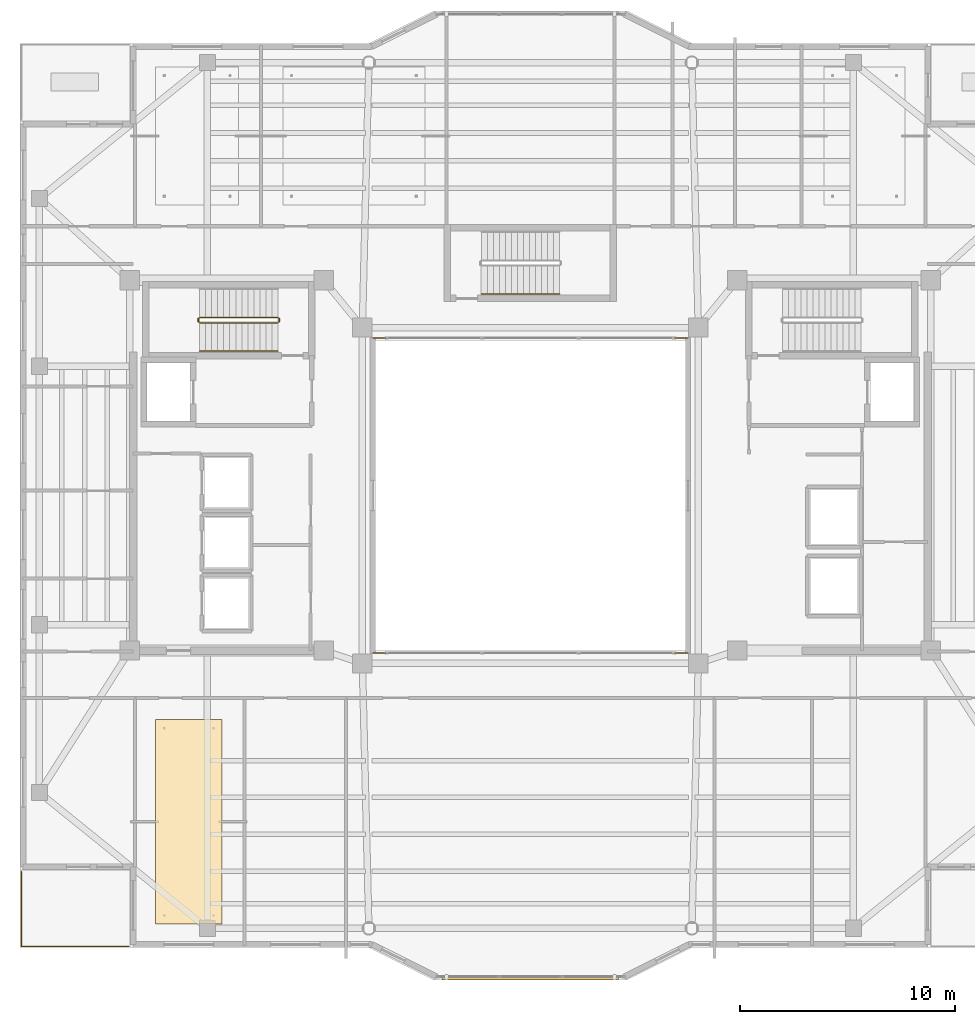
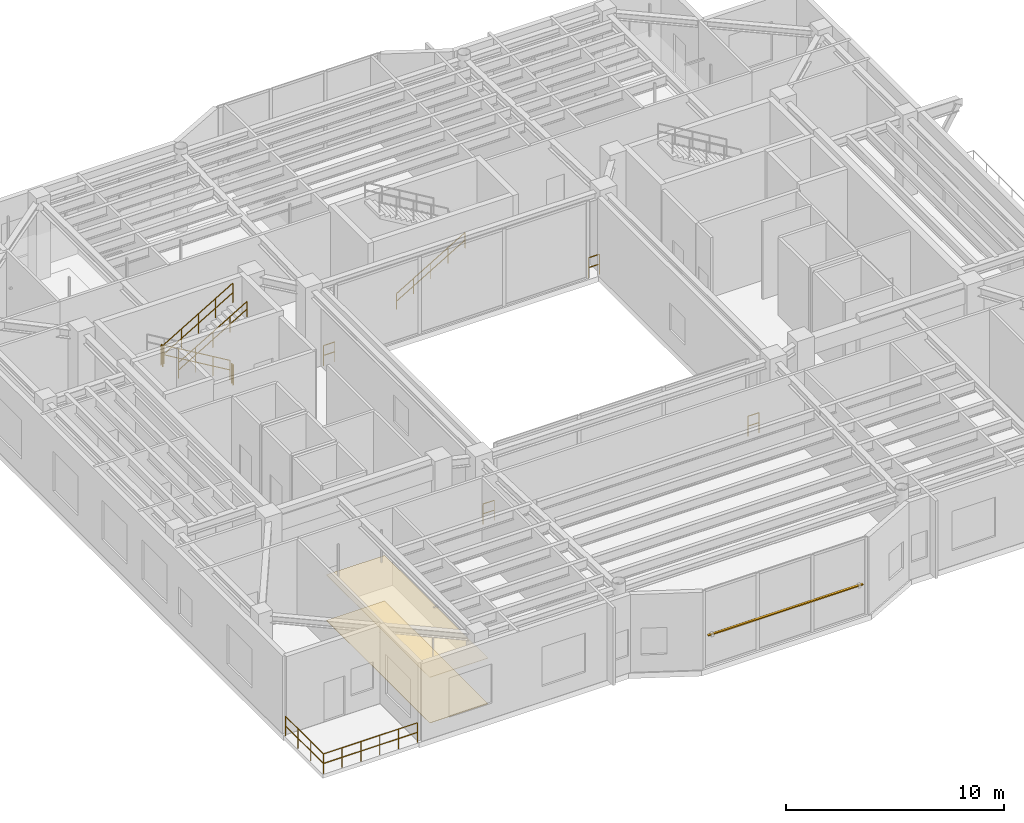
# One storey, part 20 of 23: 12 railings, 2 coverings, 1 shading device.
"""IFC4 building model written with IfcOpenShell, lengths in metres."""

from ifc_helpers import new_model, si_unit, direction, frame, origin, origin_2d, place, context, subcontext, project, spatial, polyline, rectangle, circle, outline, extrude, material, layer, layer_set, material_profile, profile_set, type_object, element, save


model = new_model("IFC4")

# Units and contexts
model_context = context("Model", 3, precision=1e-05, world=origin(), true_north=direction((0.0, 1.0)))
body_context = subcontext(model_context, "Body", "Model", "MODEL_VIEW")
ifc_project = project(units=[si_unit("LENGTHUNIT", "METRE"), si_unit("AREAUNIT", "SQUARE_METRE"), si_unit("VOLUMEUNIT", "CUBIC_METRE"), si_unit("PLANEANGLEUNIT", "RADIAN"), si_unit("MASSUNIT", "GRAM", prefix="KILO")], contexts=[model_context])

# Site, building, storey
site_placement = place(None, origin())
site = spatial("IfcSite", under=ifc_project, at=site_placement, CompositionType="ELEMENT")
building_placement = place(site_placement, origin())
building = spatial("IfcBuilding", under=site, at=building_placement, Name="Tarnavaz Court Tower", CompositionType="ELEMENT")
storey_placement = place(building_placement, frame((0.0, 0.0, 227.10009765625)))
storey = spatial("IfcBuildingStorey", under=building, at=storey_placement, Name="L62", CompositionType="ELEMENT", Elevation=227.10009765625)

# Coverings
ifc_material_1 = material(Name="Perforated Gypsum Acoustic Ceiling Tile", Category="masonry")
ifc_layer_1 = layer(ifc_material_1, 0.02490234375)
ifc_layer_set_1 = layer_set([ifc_layer_1], Name="Perforated Gypsum Acoustic Ceiling Tile")
covering_type_1 = type_object("IfcCoveringType", Name="CV-CEIL-AC", PredefinedType="CEILING", material=ifc_layer_set_1)
covering_1_placement = place(storey_placement, frame((0.0, 0.0, 2.5498046875)))
element("IfcCovering", 1, at=covering_1_placement, inside=storey, type_object=covering_type_1, Name="L62 Communal Dining Room Suspended Acoustic Ceiling", PredefinedType="CEILING", context=body_context, shape_type="SweptSolid", body=[
    extrude(outline(polyline([(-17.39990234375, -19.89990234375), (-14.31005859375, -19.89990234375), (-14.31005859375, -10.409912109375), (-17.39990234375, -10.409912109375), (-17.39990234375, -19.89990234375)])), origin(), (0.0, 0.0, 1.0), 0.025146484375),
])
ifc_material_2 = material(Name="Glazed Khorasan Porcelain Floor Tile", Category="masonry")
ifc_layer_2 = layer(ifc_material_2, 0.02001953125)
ifc_layer_set_2 = layer_set([ifc_layer_2], Name="Glazed Khorasan Porcelain Floor Tile")
covering_type_2 = type_object("IfcCoveringType", Name="CV-FLR-PORC", PredefinedType="FLOORING", material=ifc_layer_set_2)
covering_2_placement = place(storey_placement, origin())
element("IfcCovering", 2, at=covering_2_placement, inside=storey, type_object=covering_type_2, Name="L62 Communal Dining Room Porcelain Floor Finish", PredefinedType="FLOORING", context=body_context, shape_type="SweptSolid", body=[
    extrude(outline(polyline([(-17.39990234375, -19.89990234375), (-14.31005859375, -19.89990234375), (-14.31005859375, -10.409912109375), (-17.39990234375, -10.409912109375), (-17.39990234375, -19.89990234375)])), origin(), (0.0, 0.0, 1.0), 0.02001953125),
])

# Railings
ifc_material_3 = material(Name="Anodised Aluminium 6063-T6 and Laminated Safety Glass", Category="aluminium")
railing_type_1 = type_object("IfcRailingType", Name="RL-BAL-1120", PredefinedType="BALUSTRADE", material=ifc_material_3)
for number, where, name in (
    (3, (-7.320068359375, -7.320068359375, 0.0), "L62 Courtyard Corner Balustrade S-A"),
    (4, (6.719970703125, -7.320068359375, 0.0), "L62 Courtyard Corner Balustrade S-B"),
):
    element("IfcRailing", number, at=place(storey_placement, frame(where)), inside=storey, type_object=railing_type_1, Name=name, PredefinedType="BALUSTRADE", context=body_context, shape_type="SweptSolid", body=[
        extrude(circle(Radius=0.02392578125, at=origin_2d()), frame((0.0, 0.0, 1.1259765625), z_axis=(1.0, 0.0, 0.0), x_axis=(0.0, 1.0, 0.0)), (0.0, 0.0, 1.0), 0.60009765625),
        extrude(circle(Radius=0.02392578125, at=origin_2d()), frame((0.0, 0.0, 0.574951171875), z_axis=(1.0, 0.0, 0.0), x_axis=(0.0, 1.0, 0.0)), (0.0, 0.0, 1.0), 0.60009765625),
        extrude(circle(Radius=0.02099609375, at=origin_2d()), origin(), (0.0, 0.0, 1.0), 1.101806640625),
        extrude(circle(Radius=0.02099609375, at=origin_2d()), frame((0.60009765625, 0.0, 0.0)), (0.0, 0.0, 1.0), 1.101806640625),
    ])
for number, where, name in (
    (5, (7.320068359375, 7.320068359375, 0.0), "L62 Courtyard Corner Balustrade N-A"),
    (6, (-6.719970703125, 7.320068359375, 0.0), "L62 Courtyard Corner Balustrade N-B"),
):
    element("IfcRailing", number, at=place(storey_placement, frame(where)), inside=storey, type_object=railing_type_1, Name=name, PredefinedType="BALUSTRADE", context=body_context, shape_type="SweptSolid", body=[
        extrude(circle(Radius=0.02392578125, at=origin_2d()), frame((0.0, 0.0, 1.1259765625), z_axis=(-1.0, 0.0, 0.0), x_axis=(0.0, -1.0, 0.0)), (0.0, 0.0, 1.0), 0.60009765625),
        extrude(circle(Radius=0.02392578125, at=origin_2d()), frame((0.0, 0.0, 0.574951171875), z_axis=(-1.0, 0.0, 0.0), x_axis=(0.0, -1.0, 0.0)), (0.0, 0.0, 1.0), 0.60009765625),
        extrude(circle(Radius=0.02099609375, at=origin_2d()), origin(), (0.0, 0.0, 1.0), 1.101806640625),
        extrude(circle(Radius=0.02099609375, at=origin_2d()), frame((-0.60009765625, 0.0, 0.0)), (0.0, 0.0, 1.0), 1.101806640625),
    ])
railing_1_placement = place(storey_placement, frame((-23.639892578125, -20.93994140625, 0.0)))
element("IfcRailing", 7, at=railing_1_placement, inside=storey, type_object=railing_type_1, Name="L62 Terrace 4 S Perimeter Balustrade", PredefinedType="BALUSTRADE", context=body_context, shape_type="SweptSolid", body=[
    extrude(circle(Radius=0.02392578125, at=origin_2d()), frame((0.0, 0.0, 1.09619140625), z_axis=(1.0, 0.0, 0.0), x_axis=(0.0, 1.0, 0.0)), (0.0, 0.0, 1.0), 4.97998046875),
    extrude(circle(Radius=0.02392578125, at=origin_2d()), frame((0.0, 0.0, 0.56005859375), z_axis=(1.0, 0.0, 0.0), x_axis=(0.0, 1.0, 0.0)), (0.0, 0.0, 1.0), 4.97998046875),
    extrude(circle(Radius=0.02099609375, at=origin_2d()), origin(), (0.0, 0.0, 1.0), 1.072021484375),
    extrude(circle(Radius=0.02099609375, at=origin_2d()), frame((0.99609375, 0.0, 0.0)), (0.0, 0.0, 1.0), 1.072021484375),
    extrude(circle(Radius=0.02099609375, at=origin_2d()), frame((1.991943359375, 0.0, 0.0)), (0.0, 0.0, 1.0), 1.072021484375),
    extrude(circle(Radius=0.02099609375, at=origin_2d()), frame((2.988037109375, 0.0, 0.0)), (0.0, 0.0, 1.0), 1.072021484375),
    extrude(circle(Radius=0.02099609375, at=origin_2d()), frame((3.98388671875, 0.0, 0.0)), (0.0, 0.0, 1.0), 1.072021484375),
    extrude(circle(Radius=0.02099609375, at=origin_2d()), frame((4.97998046875, 0.0, 0.0)), (0.0, 0.0, 1.0), 1.072021484375),
])
railing_2_placement = place(storey_placement, frame((-23.639892578125, -17.4599609375, 0.0)))
element("IfcRailing", 8, at=railing_2_placement, inside=storey, type_object=railing_type_1, Name="L62 Terrace 4 W Perimeter Balustrade", PredefinedType="BALUSTRADE", context=body_context, shape_type="SweptSolid", body=[
    extrude(circle(Radius=0.02392578125, at=origin_2d()), frame((0.0, 0.0, 1.09619140625), z_axis=(0.0, -1.0, 0.0), x_axis=(1.0, 0.0, 0.0)), (0.0, 0.0, 1.0), 3.47998046875),
    extrude(circle(Radius=0.02392578125, at=origin_2d()), frame((0.0, 0.0, 0.56005859375), z_axis=(0.0, -1.0, 0.0), x_axis=(1.0, 0.0, 0.0)), (0.0, 0.0, 1.0), 3.47998046875),
    extrude(circle(Radius=0.02099609375, at=origin_2d()), origin(), (0.0, 0.0, 1.0), 1.072021484375),
    extrude(circle(Radius=0.02099609375, at=origin_2d()), frame((0.0, -1.159912109375, 0.0)), (0.0, 0.0, 1.0), 1.072021484375),
    extrude(circle(Radius=0.02099609375, at=origin_2d()), frame((0.0, -2.320068359375, 0.0)), (0.0, 0.0, 1.0), 1.072021484375),
    extrude(circle(Radius=0.02099609375, at=origin_2d()), frame((0.0, -3.47998046875, 0.0)), (0.0, 0.0, 1.0), 1.072021484375),
])
ifc_material_4 = material(Name="Brushed Stainless Steel", Category="steel")
railing_type_2 = type_object("IfcRailingType", Name="RL-HANDRAIL-900", PredefinedType="HANDRAIL", material=ifc_material_4)
for number, where, name in (
    (9, (-15.360107421875, 6.699951171875, 2.490966796875), "L62 ST-W1 stair handrail 2"),
    (10, (-2.280029296875, 9.35009765625, 0.166015625), "L62 ST-N1 stair handrail 1"),
):
    element("IfcRailing", number, at=place(storey_placement, frame(where)), inside=storey, type_object=railing_type_2, Name=name, PredefinedType="HANDRAIL", context=body_context, shape_type="SweptSolid", body=[
        extrude(circle(Radius=0.02392578125, at=origin_2d()), frame((0.0, 0.0, 0.8759765625), z_axis=(0.860103130531, 0.0, 0.510120186672), x_axis=(0.0, 1.0, 0.0)), (0.0, 0.0, 1.0), 4.232177734375),
        extrude(circle(Radius=0.02392578125, at=origin_2d()), frame((0.0, 0.0, 0.449951171875), z_axis=(0.860103130531, 0.0, 0.510120186672), x_axis=(0.0, 1.0, 0.0)), (0.0, 0.0, 1.0), 4.232177734375),
        extrude(circle(Radius=0.02099609375, at=origin_2d()), origin(), (0.0, 0.0, 1.0), 0.851806640625),
        extrude(circle(Radius=0.02099609375, at=origin_2d()), frame((0.91015625, 0.0, 0.539794921875)), (0.0, 0.0, 1.0), 0.851806640625),
        extrude(circle(Radius=0.02099609375, at=origin_2d()), frame((1.820068359375, 0.0, 1.07958984375)), (0.0, 0.0, 1.0), 0.851806640625),
        extrude(circle(Radius=0.02099609375, at=origin_2d()), frame((2.72998046875, 0.0, 1.619140625)), (0.0, 0.0, 1.0), 0.851806640625),
        extrude(circle(Radius=0.02099609375, at=origin_2d()), frame((3.64013671875, 0.0, 2.158935546875)), (0.0, 0.0, 1.0), 0.851806640625),
    ])
ifc_material_5 = material(Name="Galvanized Painted Tubular Steel", Category="steel")
railing_type_3 = type_object("IfcRailingType", Name="RL-STGUARD-1120", PredefinedType="GUARDRAIL", material=ifc_material_5)
railing_3_placement = place(storey_placement, frame((-11.719970703125, 8.27001953125, 0.166015625)))
element("IfcRailing", 11, at=railing_3_placement, inside=storey, type_object=railing_type_3, Name="L62 ST-W1 stair guard 1", PredefinedType="GUARDRAIL", context=body_context, shape_type="SweptSolid", body=[
    extrude(circle(Radius=0.02392578125, at=origin_2d()), frame((0.0, 0.0, 1.09619140625), z_axis=(-0.860103130531, 0.0, 0.510120186672), x_axis=(0.0, -1.0, 0.0)), (0.0, 0.0, 1.0), 4.232177734375),
    extrude(circle(Radius=0.02392578125, at=origin_2d()), frame((0.0, 0.0, 0.56005859375), z_axis=(-0.860103130531, 0.0, 0.510120186672), x_axis=(0.0, -1.0, 0.0)), (0.0, 0.0, 1.0), 4.232177734375),
    extrude(circle(Radius=0.02099609375, at=origin_2d()), origin(), (0.0, 0.0, 1.0), 1.072021484375),
    extrude(circle(Radius=0.02099609375, at=origin_2d()), frame((-0.91015625, 0.0, 0.539794921875)), (0.0, 0.0, 1.0), 1.072021484375),
    extrude(circle(Radius=0.02099609375, at=origin_2d()), frame((-1.820068359375, 0.0, 1.07958984375)), (0.0, 0.0, 1.0), 1.072021484375),
    extrude(circle(Radius=0.02099609375, at=origin_2d()), frame((-2.72998046875, 0.0, 1.619140625)), (0.0, 0.0, 1.0), 1.072021484375),
    extrude(circle(Radius=0.02099609375, at=origin_2d()), frame((-3.64013671875, 0.0, 2.158935546875)), (0.0, 0.0, 1.0), 1.072021484375),
])
railing_4_placement = place(storey_placement, frame((-15.409912109375, 8.219970703125, 2.324951171875)))
element("IfcRailing", 12, at=railing_4_placement, inside=storey, type_object=railing_type_3, Name="L62 ST-W1 stair guard 2", PredefinedType="GUARDRAIL", context=body_context, shape_type="SweptSolid", body=[
    extrude(circle(Radius=0.02392578125, at=origin_2d()), frame((0.0, 0.0, 1.09619140625), z_axis=(0.0, -1.0, 0.0), x_axis=(1.0, 0.0, 0.0)), (0.0, 0.0, 1.0), 0.14990234375),
    extrude(circle(Radius=0.02392578125, at=origin_2d()), frame((0.0, 0.0, 0.56005859375), z_axis=(0.0, -1.0, 0.0), x_axis=(1.0, 0.0, 0.0)), (0.0, 0.0, 1.0), 0.14990234375),
    extrude(circle(Radius=0.02099609375, at=origin_2d()), origin(), (0.0, 0.0, 1.0), 1.072021484375),
    extrude(circle(Radius=0.02099609375, at=origin_2d()), frame((0.0, -0.14990234375, 0.0)), (0.0, 0.0, 1.0), 1.072021484375),
])
railing_5_placement = place(storey_placement, frame((-15.360107421875, 8.02001953125, 2.490966796875)))
element("IfcRailing", 13, at=railing_5_placement, inside=storey, type_object=railing_type_3, Name="L62 ST-W1 stair guard 3", PredefinedType="GUARDRAIL", context=body_context, shape_type="SweptSolid", body=[
    extrude(circle(Radius=0.02392578125, at=origin_2d()), frame((0.0, 0.0, 1.09619140625), z_axis=(0.860103130531, 0.0, 0.510120186672), x_axis=(0.0, 1.0, 0.0)), (0.0, 0.0, 1.0), 4.232177734375),
    extrude(circle(Radius=0.02392578125, at=origin_2d()), frame((0.0, 0.0, 0.56005859375), z_axis=(0.860103130531, 0.0, 0.510120186672), x_axis=(0.0, 1.0, 0.0)), (0.0, 0.0, 1.0), 4.232177734375),
    extrude(circle(Radius=0.02099609375, at=origin_2d()), origin(), (0.0, 0.0, 1.0), 1.072021484375),
    extrude(circle(Radius=0.02099609375, at=origin_2d()), frame((0.91015625, 0.0, 0.539794921875)), (0.0, 0.0, 1.0), 1.072021484375),
    extrude(circle(Radius=0.02099609375, at=origin_2d()), frame((1.820068359375, 0.0, 1.07958984375)), (0.0, 0.0, 1.0), 1.072021484375),
    extrude(circle(Radius=0.02099609375, at=origin_2d()), frame((2.72998046875, 0.0, 1.619140625)), (0.0, 0.0, 1.0), 1.072021484375),
    extrude(circle(Radius=0.02099609375, at=origin_2d()), frame((3.64013671875, 0.0, 2.158935546875)), (0.0, 0.0, 1.0), 1.072021484375),
])
railing_6_placement = place(storey_placement, frame((-11.669921875, 8.219970703125, 0.0)))
element("IfcRailing", 14, at=railing_6_placement, inside=storey, type_object=railing_type_3, Name="L62 ST-W1 stair guard 4", PredefinedType="GUARDRAIL", context=body_context, shape_type="SweptSolid", body=[
    extrude(circle(Radius=0.02392578125, at=origin_2d()), frame((0.0, 0.0, 1.09619140625), z_axis=(0.0, -1.0, 0.0), x_axis=(1.0, 0.0, 0.0)), (0.0, 0.0, 1.0), 0.14990234375),
    extrude(circle(Radius=0.02392578125, at=origin_2d()), frame((0.0, 0.0, 0.56005859375), z_axis=(0.0, -1.0, 0.0), x_axis=(1.0, 0.0, 0.0)), (0.0, 0.0, 1.0), 0.14990234375),
    extrude(circle(Radius=0.02099609375, at=origin_2d()), origin(), (0.0, 0.0, 1.0), 1.072021484375),
    extrude(circle(Radius=0.02099609375, at=origin_2d()), frame((0.0, -0.14990234375, 0.0)), (0.0, 0.0, 1.0), 1.072021484375),
])

# Shading device
ifc_material_6 = material(Name="Kiln-Fired Khorasan Terracotta Ceramic", Category="masonry")
ifc_material_profile = material_profile(ifc_material_6, rectangle(XDim=0.1201171875, YDim=0.06005859375, at=origin_2d()), Name="TC BAGUETTE 120X60")
ifc_profile_set = profile_set([ifc_material_profile], Name="Kiln-Fired Khorasan Terracotta Ceramic")
shading_device_type = type_object("IfcShadingDeviceType", Name="SD-BAG-120", PredefinedType="USERDEFINED", material=ifc_profile_set)
shading_device_placement = place(storey_placement, frame((4.10009765625, -22.409912109375, 1.7998046875), z_axis=(-1.0, 0.0, 0.0), x_axis=(0.0, -1.0, 0.0)))
element("IfcShadingDevice", 15, at=shading_device_placement, inside=storey, type_object=shading_device_type, Name="L62 Terracotta Baguette Screen PBG17", ObjectType="BAGUETTE", PredefinedType="USERDEFINED", context=body_context, shape_type="SweptSolid", body=[
    extrude(rectangle(XDim=0.1201171875, YDim=0.06005859375, at=origin_2d()), origin(), (0.0, 0.0, 1.0), 8.2001953125),
])

save(model, "model.ifc")
